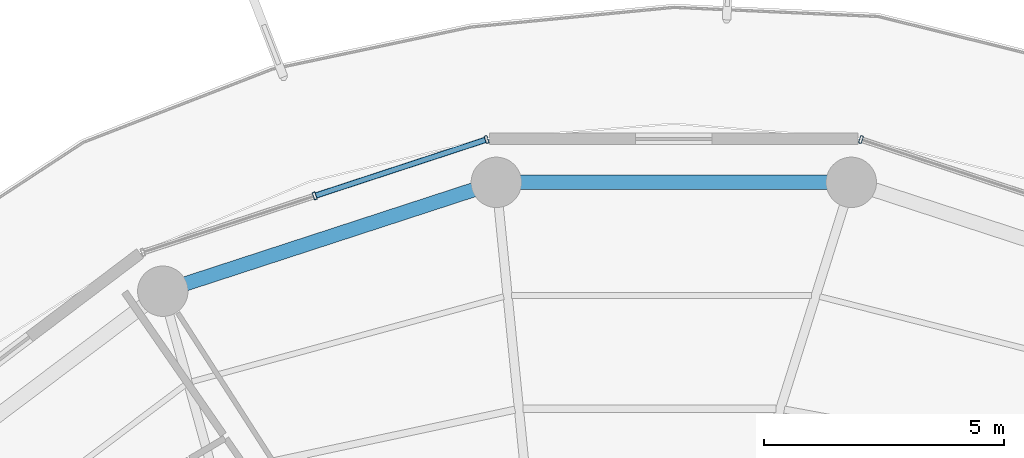
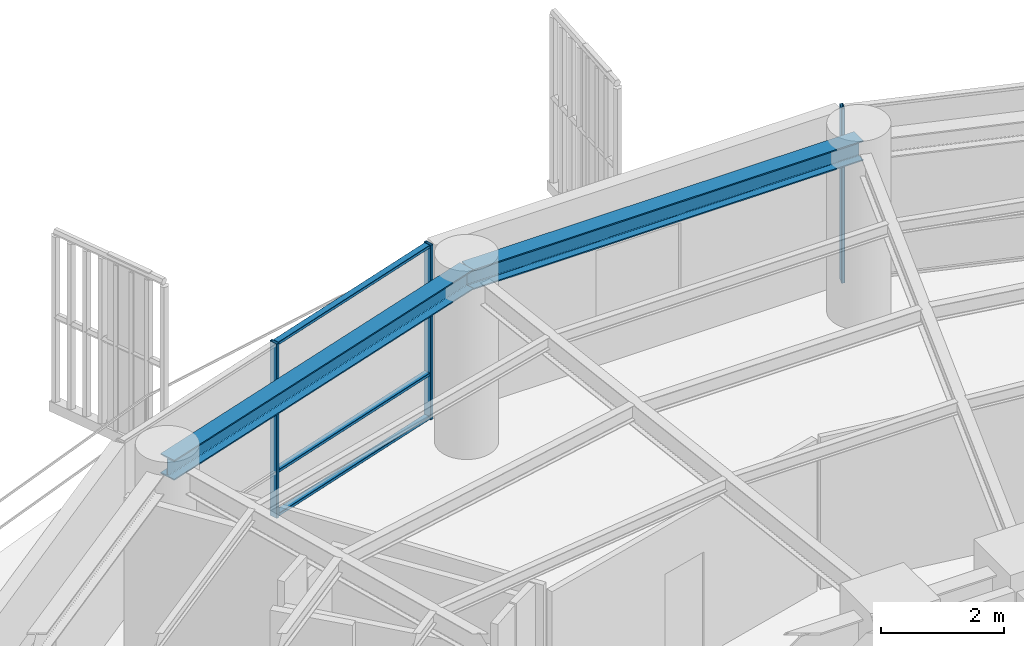
# One storey, part 20 of 31: 6 members, 2 beams, 2 elements without a shape of their own.
"""IFC4 building model written with IfcOpenShell, lengths in metres."""

from ifc_helpers import new_model, si_unit, direction, frame, origin, origin_2d, place, context, subcontext, project, spatial, hollow_rectangle, i_section, extrude, material, layer, layer_set, material_profile, profile_set, type_object, element, aggregate, save


model = new_model("IFC4")

# Units and contexts
model_context = context("Model", 3, precision=1e-05, world=origin(), true_north=direction((0.0, 1.0)))
body_context = subcontext(model_context, "Body", "Model", "MODEL_VIEW")
ifc_project = project(units=[si_unit("LENGTHUNIT", "METRE"), si_unit("AREAUNIT", "SQUARE_METRE"), si_unit("VOLUMEUNIT", "CUBIC_METRE"), si_unit("PLANEANGLEUNIT", "RADIAN"), si_unit("MASSUNIT", "GRAM", prefix="KILO")], contexts=[model_context])

# Site, building, storey
site_placement = place(None, origin())
site = spatial("IfcSite", under=ifc_project, at=site_placement, CompositionType="ELEMENT")
building_placement = place(site_placement, origin())
building = spatial("IfcBuilding", under=site, at=building_placement, Name="Kelanora Arch Commons", CompositionType="ELEMENT")
storey_placement = place(building_placement, frame((0.0, 0.0, 196.949951171875)))
storey = spatial("IfcBuildingStorey", under=building, at=storey_placement, Name="L50", CompositionType="ELEMENT", Elevation=196.949951171875)

# Beams
ifc_material_1 = material(Name="Steel S355", Category="steel")
ifc_material_profile_1 = material_profile(ifc_material_1, i_section(OverallWidth=0.300048828125, OverallDepth=0.39990234375, WebThickness=0.013427734375, FlangeThickness=0.02392578125, FilletRadius=0.027099609375, at=origin_2d()), Name="HEB400")
ifc_profile_set_1 = profile_set([ifc_material_profile_1], Name="Steel S355")
beam_type = type_object("IfcBeamType", Name="BM-SPN-Z4", PredefinedType="SPANDREL", material=ifc_profile_set_1)
beam_1_placement = place(storey_placement, frame((77.6953125, 76.7900390625, 3.2900390625), z_axis=(-1.0, 0.0, 0.0), x_axis=(0.0, -1.0, 0.0)))
element("IfcBeam", 1, at=beam_1_placement, inside=storey, type_object=beam_type, Name="Perimeter Spandrel Beam BS-08 L50", PredefinedType="SPANDREL", context=body_context, shape_type="SweptSolid", body=[
    extrude(i_section(OverallWidth=0.300048828125, OverallDepth=0.39990234375, WebThickness=0.013427734375, FlangeThickness=0.02392578125, FilletRadius=0.027099609375, at=origin_2d()), origin(), (0.0, 0.0, 1.0), 7.390625),
])
beam_2_placement = place(storey_placement, frame((70.3046875, 76.7900390625, 3.2900390625), z_axis=(-0.950656361143, -0.310245842872, 0.0), x_axis=(0.310245842872, -0.950656361143, 0.0)))
element("IfcBeam", 2, at=beam_2_placement, inside=storey, type_object=beam_type, Name="Perimeter Spandrel Beam BS-10 L50", PredefinedType="SPANDREL", context=body_context, shape_type="SweptSolid", body=[
    extrude(i_section(OverallWidth=0.300048828125, OverallDepth=0.39990234375, WebThickness=0.013427734375, FlangeThickness=0.02392578125, FilletRadius=0.027099609375, at=origin_2d()), origin(), (0.0, 0.0, 1.0), 7.304931640625),
])

# Curtain wall, member
ifc_material_2 = material(Name="Terracotta ceramic-fritted low-E glass and aluminium", Category="masonry")
ifc_layer = layer(ifc_material_2, 0.175048828125)
ifc_layer_set = layer_set([ifc_layer], Name="Terracotta ceramic-fritted low-E glass and aluminium")
curtain_wall_type = type_object("IfcCurtainWallType", Name="CW-SYS-02", PredefinedType="NOTDEFINED", material=ifc_layer_set)
curtain_wall_1_placement = place(storey_placement, origin())
curtain_wall_1 = element("IfcCurtainWall", 3, at=curtain_wall_1_placement, inside=storey, type_object=curtain_wall_type, Name="Unitised Curtain Wall L50-B03", PredefinedType="NOTDEFINED")
ifc_material_3 = material(Name="Powder-coated aluminium terracotta", Category="masonry")
ifc_material_profile_2 = material_profile(ifc_material_3, hollow_rectangle(XDim=0.159912109375, YDim=0.06005859375, WallThickness=0.0048828125, InnerFilletRadius=0.0048828125, OuterFilletRadius=0.010009765625, at=origin_2d()), Name="CWM160x60")
ifc_profile_set_2 = profile_set([ifc_material_profile_2], Name="Powder-coated aluminium terracotta")
member_type_1 = type_object("IfcMemberType", Name="CWM-STD", PredefinedType="MULLION", material=ifc_profile_set_2)
member_1_placement = place(storey_placement, frame((77.897705078125, 77.68212890625, 0.0), z_axis=(0.0, 0.0, 1.0), x_axis=(-0.311582439059, -0.950219124029, 0.0)))
member_1 = element("IfcMember", 4, at=member_1_placement, type_object=member_type_1, Name="CW-02 mullion 3", PredefinedType="MULLION", context=body_context, shape_type="SweptSolid", body=[
    extrude(hollow_rectangle(XDim=0.159912109375, YDim=0.06005859375, WallThickness=0.0048828125, InnerFilletRadius=0.0048828125, OuterFilletRadius=0.010009765625, at=origin_2d()), origin(), (0.0, 0.0, 1.0), 3.47509765625),
])
aggregate(curtain_wall_1, [member_1])

# Curtain wall, members
curtain_wall_2_placement = place(storey_placement, origin())
curtain_wall_2 = element("IfcCurtainWall", 5, at=curtain_wall_2_placement, inside=storey, type_object=curtain_wall_type, Name="Unitised Curtain Wall L50-B05", PredefinedType="NOTDEFINED")
member_2_placement = place(storey_placement, frame((70.102294921875, 77.68212890625, 0.0), z_axis=(0.0, 0.0, 1.0), x_axis=(0.311582439059, -0.950219124029, 0.0)))
member_2 = element("IfcMember", 6, at=member_2_placement, type_object=member_type_1, Name="CW-02 mullion 1", PredefinedType="MULLION", context=body_context, shape_type="SweptSolid", body=[
    extrude(hollow_rectangle(XDim=0.159912109375, YDim=0.06005859375, WallThickness=0.0048828125, InnerFilletRadius=0.0048828125, OuterFilletRadius=0.010009765625, at=origin_2d()), origin(), (0.0, 0.0, 1.0), 3.47509765625),
])
member_3_placement = place(storey_placement, frame((66.5224609375, 76.50830078125, 0.0), z_axis=(0.0, 0.0, 1.0), x_axis=(0.311582439059, -0.950219124029, 0.0)))
member_3 = element("IfcMember", 7, at=member_3_placement, type_object=member_type_1, Name="CW-02 mullion 2", PredefinedType="MULLION", context=body_context, shape_type="SweptSolid", body=[
    extrude(hollow_rectangle(XDim=0.159912109375, YDim=0.06005859375, WallThickness=0.0048828125, InnerFilletRadius=0.0048828125, OuterFilletRadius=0.010009765625, at=origin_2d()), origin(), (0.0, 0.0, 1.0), 3.47509765625),
])
ifc_material_profile_3 = material_profile(ifc_material_3, hollow_rectangle(XDim=0.1201171875, YDim=0.06005859375, WallThickness=0.0048828125, InnerFilletRadius=0.0048828125, OuterFilletRadius=0.010009765625, at=origin_2d()), Name="CWT120x60")
ifc_profile_set_3 = profile_set([ifc_material_profile_3], Name="Powder-coated aluminium terracotta")
member_type_2 = type_object("IfcMemberType", Name="CWT-STD", PredefinedType="USERDEFINED", material=ifc_profile_set_3)
member_4_placement = place(storey_placement, frame((70.07373046875, 77.6728515625, 0.030029296875), z_axis=(-0.950206527055, -0.311620852867, 0.0), x_axis=(0.311620852867, -0.950206527055, 0.0)))
member_4 = element("IfcMember", 8, at=member_4_placement, type_object=member_type_2, Name="CW-02 transom 1.1", ObjectType="TRANSOM", PredefinedType="USERDEFINED", context=body_context, shape_type="SweptSolid", body=[
    extrude(hollow_rectangle(XDim=0.1201171875, YDim=0.06005859375, WallThickness=0.0048828125, InnerFilletRadius=0.0048828125, OuterFilletRadius=0.010009765625, at=origin_2d()), origin(), (0.0, 0.0, 1.0), 3.707275390625),
])
member_5_placement = place(storey_placement, frame((70.07373046875, 77.6728515625, 0.900146484375), z_axis=(-0.950206527055, -0.311620852867, 0.0), x_axis=(0.311620852867, -0.950206527055, 0.0)))
member_5 = element("IfcMember", 9, at=member_5_placement, type_object=member_type_2, Name="CW-02 transom 1.2", ObjectType="TRANSOM", PredefinedType="USERDEFINED", context=body_context, shape_type="SweptSolid", body=[
    extrude(hollow_rectangle(XDim=0.1201171875, YDim=0.06005859375, WallThickness=0.0048828125, InnerFilletRadius=0.0048828125, OuterFilletRadius=0.010009765625, at=origin_2d()), origin(), (0.0, 0.0, 1.0), 3.707275390625),
])
member_6_placement = place(storey_placement, frame((70.07373046875, 77.6728515625, 3.445068359375), z_axis=(-0.950206527055, -0.311620852867, 0.0), x_axis=(0.311620852867, -0.950206527055, 0.0)))
member_6 = element("IfcMember", 10, at=member_6_placement, type_object=member_type_2, Name="CW-02 transom 1.3", ObjectType="TRANSOM", PredefinedType="USERDEFINED", context=body_context, shape_type="SweptSolid", body=[
    extrude(hollow_rectangle(XDim=0.1201171875, YDim=0.06005859375, WallThickness=0.0048828125, InnerFilletRadius=0.0048828125, OuterFilletRadius=0.010009765625, at=origin_2d()), origin(), (0.0, 0.0, 1.0), 3.707275390625),
])
aggregate(curtain_wall_2, [member_2, member_3, member_4, member_5, member_6])

save(model, "model.ifc")
